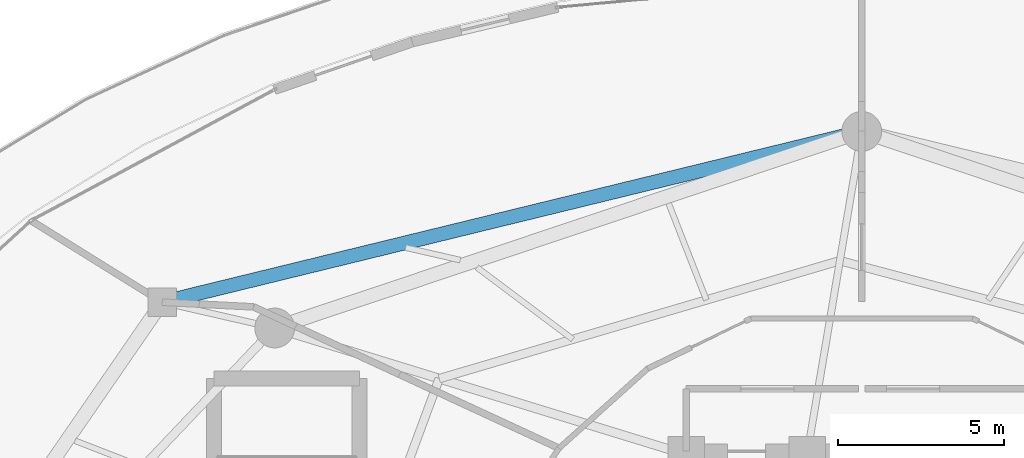
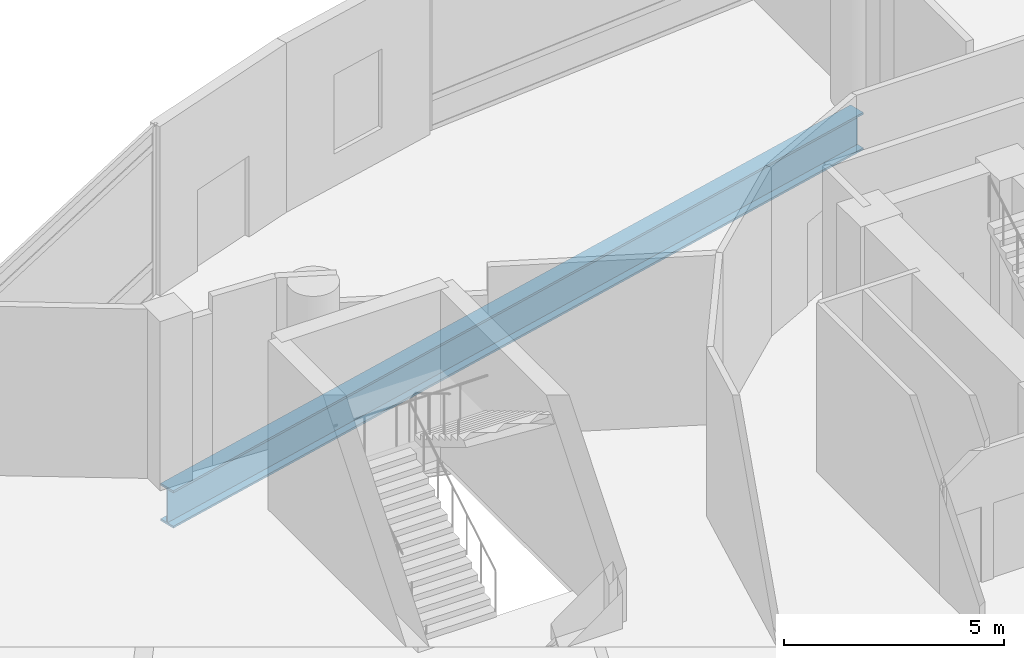
# One storey, part 17 of 36: 1 beam.
"""IFC4 building model written with IfcOpenShell, lengths in metres."""

from ifc_helpers import new_model, si_unit, direction, frame, origin, origin_2d, place, context, subcontext, project, spatial, i_section, extrude, material, material_profile, profile_set, type_object, element, save


model = new_model("IFC4")

# Units and contexts
model_context = context("Model", 3, precision=1e-05, world=origin(), true_north=direction((0.0, 1.0)))
body_context = subcontext(model_context, "Body", "Model", "MODEL_VIEW")
ifc_project = project(units=[si_unit("LENGTHUNIT", "METRE"), si_unit("AREAUNIT", "SQUARE_METRE"), si_unit("VOLUMEUNIT", "CUBIC_METRE"), si_unit("PLANEANGLEUNIT", "RADIAN"), si_unit("MASSUNIT", "GRAM", prefix="KILO")], contexts=[model_context])

# Site, building, storey
site_placement = place(None, origin())
site = spatial("IfcSite", under=ifc_project, at=site_placement, CompositionType="ELEMENT")
building_placement = place(site_placement, origin())
building = spatial("IfcBuilding", under=site, at=building_placement, Name="Nuhasar Tower", CompositionType="ELEMENT")
storey_placement = place(building_placement, frame((0.0, 0.0, 11.0)))
storey = spatial("IfcBuildingStorey", under=building, at=storey_placement, Name="L02", CompositionType="ELEMENT", Elevation=11.0)

# Beam
ifc_material = material(Name="Steel S460", Category="steel")
ifc_material_profile = material_profile(ifc_material, i_section(OverallWidth=0.419921875, OverallDepth=1.0400390625, WebThickness=0.031005859375, FlangeThickness=0.055908203125, at=origin_2d()), Name="W40X397")
ifc_profile_set = profile_set([ifc_material_profile], Name="Steel S460")
beam_type = type_object("IfcBeamType", Name="BM-XFER-W40X397", PredefinedType="USERDEFINED", material=ifc_profile_set)
beam_placement = place(storey_placement, frame((39.0, 47.050048828125, -0.820068359375), z_axis=(-0.971466874575, -0.23717527612, 0.0), x_axis=(0.23717527612, -0.971466874575, 0.0)))
element("IfcBeam", 1, at=beam_placement, inside=storey, type_object=beam_type, Name="L02 Podium Ring Girder 06", ObjectType="GIRDER", PredefinedType="USERDEFINED", context=body_context, shape_type="SweptSolid", body=[
    extrude(i_section(OverallWidth=0.419921875, OverallDepth=1.0400390625, WebThickness=0.031005859375, FlangeThickness=0.055908203125, at=origin_2d()), origin(), (0.0, 0.0, 1.0), 21.726806640625),
])

save(model, "model.ifc")
